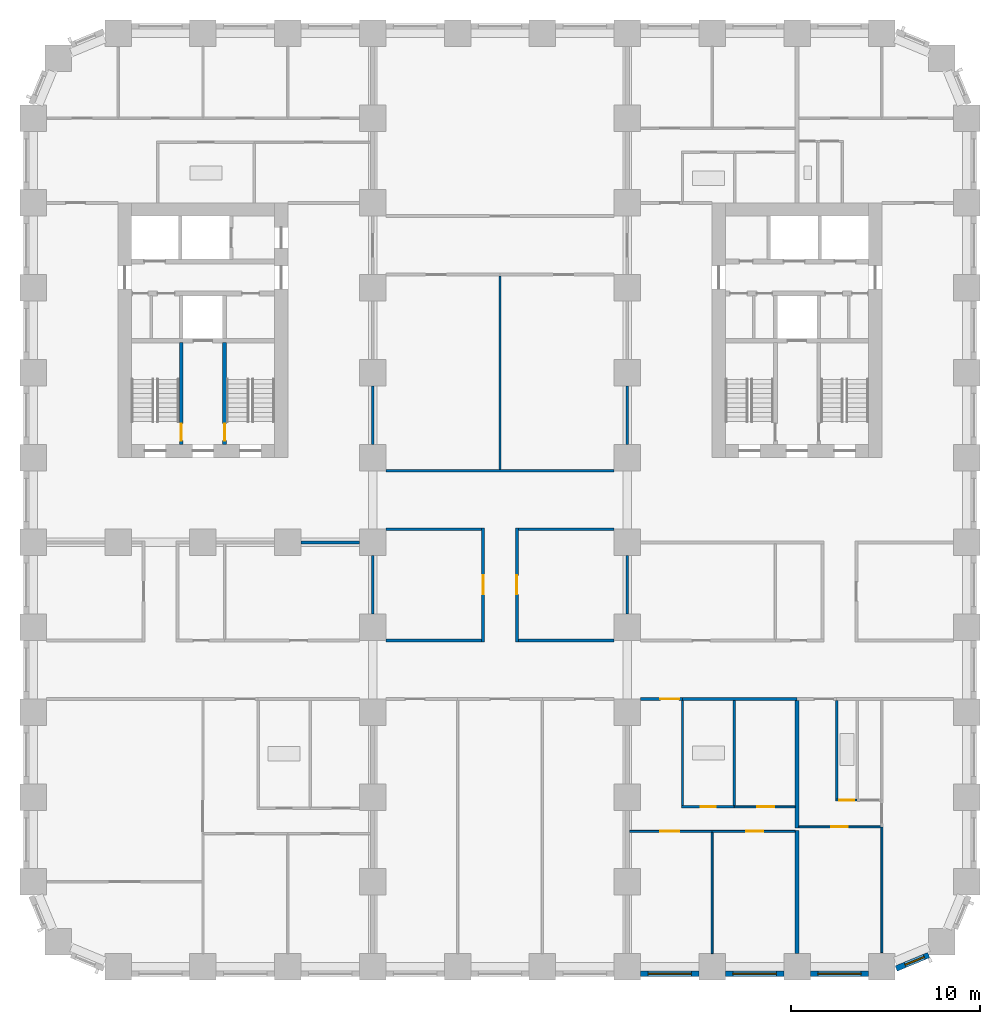
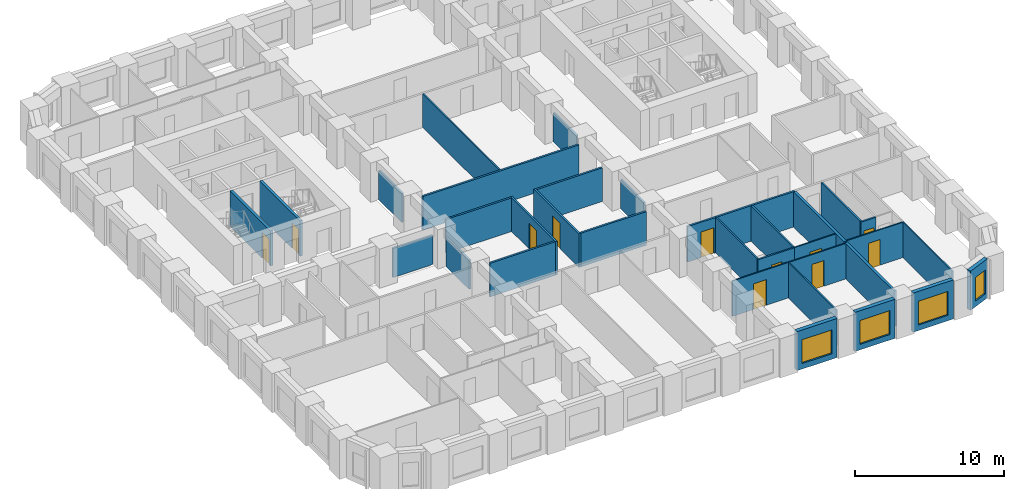
# One storey, part 4 of 12: 34 walls, 11 doors, 4 windows, 15 openings.
"""IFC4 building model written with IfcOpenShell, lengths in metres."""

from ifc_helpers import new_model, si_unit, direction, frame, frame_2d, origin, place, context, subcontext, project, spatial, rectangle, extrude, material, layer, layer_set, type_object, element, fill, save


model = new_model("IFC4")

# Units and contexts
model_context = context("Model", 3, precision=1e-05, world=origin(), true_north=direction((0.0, 1.0)))
body_context = subcontext(model_context, "Body", "Model", "MODEL_VIEW")
ifc_project = project(units=[si_unit("LENGTHUNIT", "METRE"), si_unit("AREAUNIT", "SQUARE_METRE"), si_unit("VOLUMEUNIT", "CUBIC_METRE"), si_unit("PLANEANGLEUNIT", "RADIAN"), si_unit("MASSUNIT", "GRAM", prefix="KILO")], contexts=[model_context])

# Site, building, storey
site_placement = place(None, origin())
site = spatial("IfcSite", under=ifc_project, at=site_placement, CompositionType="ELEMENT")
building_placement = place(site_placement, origin())
building = spatial("IfcBuilding", under=site, at=building_placement, Name="Girih Gate Residences", CompositionType="ELEMENT")
storey_placement = place(building_placement, frame((0.0, 0.0, 30.39990234375)))
storey = spatial("IfcBuildingStorey", under=building, at=storey_placement, Name="L06", CompositionType="ELEMENT", Elevation=30.39990234375)

# Wall
ifc_material_1 = material(Name="Gypsum board on steel studs", Category="steel")
ifc_layer_1 = layer(ifc_material_1, 0.14990234375)
ifc_layer_set_1 = layer_set([ifc_layer_1], Name="Compartment wall 150 mm")
wall_type_1 = type_object("IfcWallType", Name="Compartment wall 150 mm", PredefinedType="PARTITIONING", material=ifc_layer_set_1)
wall_1_placement = place(storey_placement, frame((34.425048828125, 14.199951171875, 0.0), z_axis=(0.0, 0.0, 1.0), x_axis=(1.0, 0.0, 0.0)))
element("IfcWall", 1, at=wall_1_placement, inside=storey, type_object=wall_type_1, Name="L06 partition", PredefinedType="PARTITIONING", context=body_context, shape_type="SweptSolid", body=[
    extrude(rectangle(XDim=6.074951171875, YDim=0.14990234375, at=frame_2d((3.03759765625, 0.0))), origin(), (0.0, 0.0, 1.0), 2.900146484375),
])

# Wall, opening, door
wall_2_placement = place(storey_placement, frame((34.425048828125, 14.199951171875, 0.0), z_axis=(0.0, 0.0, 1.0), x_axis=(-1.0, 0.0, 0.0)))
wall_2 = element("IfcWall", 2, at=wall_2_placement, inside=storey, type_object=wall_type_1, Name="L06 partition", PredefinedType="PARTITIONING", context=body_context, shape_type="SweptSolid", body=[
    extrude(rectangle(XDim=2.22509765625, YDim=0.14990234375, at=frame_2d((1.112548828125, 0.0))), origin(), (0.0, 0.0, 1.0), 2.900146484375),
])
opening_1_placement = place(wall_2_placement, frame((0.175048828125, 0.0, 0.0)))
opening_1 = element("IfcOpeningElement", 3, at=opening_1_placement, cuts=wall_2, Name="Opening A06-024", PredefinedType="OPENING", context=body_context, shape_type="SweptSolid", body=[
    extrude(rectangle(XDim=1.0, YDim=2.10009765625, at=frame_2d((0.5, 1.050048828125))), frame((0.0, 0.0849609375, 0.0), z_axis=(0.0, -1.0, 0.0), x_axis=(1.0, 0.0, 0.0)), (0.0, 0.0, 1.0), 0.169921875),
])
ifc_material_2 = material(Name="Timber, fire-rated core", Category="wood")
door_type_1 = type_object("IfcDoorType", Name="Flat entrance door 1000x2100 FD30S", OperationType="NOTDEFINED", PredefinedType="DOOR", material=ifc_material_2)
door_1_placement = place(opening_1_placement, origin())
door_1 = element("IfcDoor", 4, at=door_1_placement, inside=storey, type_object=door_type_1, Name="Door A06-024", OperationType="SINGLE_SWING_LEFT", OverallHeight=2.10009765625, OverallWidth=1.0, PredefinedType="DOOR", context=body_context, shape_type="SweptSolid", body=[
    extrude(rectangle(XDim=1.0, YDim=2.10009765625, at=frame_2d((0.5, 1.050048828125))), frame((0.0, 0.02490234375, 0.0), z_axis=(0.0, -1.0, 0.0), x_axis=(1.0, 0.0, 0.0)), (0.0, 0.0, 1.0), 0.050048828125),
])
fill(opening_1, door_1)

wall_3_placement = place(storey_placement, frame((23.85009765625, 17.22509765625, 0.0), z_axis=(0.0, 0.0, 1.0), x_axis=(0.0, 1.0, 0.0)))
wall_3 = element("IfcWall", 5, at=wall_3_placement, inside=storey, type_object=wall_type_1, Name="L06 partition", PredefinedType="PARTITIONING", context=body_context, shape_type="SweptSolid", body=[
    extrude(rectangle(XDim=6.0498046875, YDim=0.14990234375, at=frame_2d((3.02490234375, 0.0))), origin(), (0.0, 0.0, 1.0), 2.75),
])
opening_2_placement = place(wall_3_placement, frame((2.52490234375, 0.0, 0.0)))
opening_2 = element("IfcOpeningElement", 6, at=opening_2_placement, cuts=wall_3, Name="Opening A06-043", PredefinedType="OPENING", context=body_context, shape_type="SweptSolid", body=[
    extrude(rectangle(XDim=1.0, YDim=2.10009765625, at=frame_2d((0.5, 1.050048828125))), frame((0.0, 0.0849609375, 0.0), z_axis=(0.0, -1.0, 0.0), x_axis=(1.0, 0.0, 0.0)), (0.0, 0.0, 1.0), 0.169921875),
])
door_type_2 = type_object("IfcDoorType", Name="Amenity room door 1000x2100 FD30S", OperationType="NOTDEFINED", PredefinedType="DOOR", material=ifc_material_2)
door_2_placement = place(opening_2_placement, origin())
door_2 = element("IfcDoor", 7, at=door_2_placement, inside=storey, type_object=door_type_2, Name="Door A06-043", OperationType="SINGLE_SWING_RIGHT", OverallHeight=2.10009765625, OverallWidth=1.0, PredefinedType="DOOR", context=body_context, shape_type="SweptSolid", body=[
    extrude(rectangle(XDim=1.0, YDim=2.10009765625, at=frame_2d((0.5, 1.050048828125))), frame((0.0, 0.02490234375, 0.0), z_axis=(0.0, -1.0, 0.0), x_axis=(1.0, 0.0, 0.0)), (0.0, 0.0, 1.0), 0.050048828125),
])
fill(opening_2, door_2)

wall_4_placement = place(storey_placement, frame((25.64990234375, 23.27490234375, 0.0), z_axis=(0.0, 0.0, 1.0), x_axis=(0.0, -1.0, 0.0)))
wall_4 = element("IfcWall", 8, at=wall_4_placement, inside=storey, type_object=wall_type_1, Name="L06 partition", PredefinedType="PARTITIONING", context=body_context, shape_type="SweptSolid", body=[
    extrude(rectangle(XDim=6.0498046875, YDim=0.14990234375, at=frame_2d((3.02490234375, 0.0))), origin(), (0.0, 0.0, 1.0), 2.75),
])
opening_3_placement = place(wall_4_placement, frame((2.52490234375, 0.0, 0.0)))
opening_3 = element("IfcOpeningElement", 9, at=opening_3_placement, cuts=wall_4, Name="Opening A06-044", PredefinedType="OPENING", context=body_context, shape_type="SweptSolid", body=[
    extrude(rectangle(XDim=1.0, YDim=2.10009765625, at=frame_2d((0.5, 1.050048828125))), frame((0.0, 0.0849609375, 0.0), z_axis=(0.0, -1.0, 0.0), x_axis=(1.0, 0.0, 0.0)), (0.0, 0.0, 1.0), 0.169921875),
])
door_3_placement = place(opening_3_placement, origin())
door_3 = element("IfcDoor", 10, at=door_3_placement, inside=storey, type_object=door_type_2, Name="Door A06-044", OperationType="SINGLE_SWING_RIGHT", OverallHeight=2.10009765625, OverallWidth=1.0, PredefinedType="DOOR", context=body_context, shape_type="SweptSolid", body=[
    extrude(rectangle(XDim=1.0, YDim=2.10009765625, at=frame_2d((0.5, 1.050048828125))), frame((0.0, 0.02490234375, 0.0), z_axis=(0.0, -1.0, 0.0), x_axis=(1.0, 0.0, 0.0)), (0.0, 0.0, 1.0), 0.050048828125),
])
fill(opening_3, door_3)

# Walls
for number, where, z_axis, x_axis, name in (
    (11, (18.699951171875, 17.300048828125, 0.0), (0.0, 0.0, 1.0), (1.0, 0.0, 0.0), "L06 partition"),
    (12, (25.72509765625, 17.300048828125, 0.0), (0.0, 0.0, 1.0), (1.0, 0.0, 0.0), "L06 partition"),
):
    element("IfcWall", number, at=place(storey_placement, frame(where, z_axis=z_axis, x_axis=x_axis)), inside=storey, type_object=wall_type_1, Name=name, PredefinedType="PARTITIONING", context=body_context, shape_type="SweptSolid", body=[
        extrude(rectangle(XDim=5.074951171875, YDim=0.14990234375, at=frame_2d((2.53759765625, 0.0))), origin(), (0.0, 0.0, 1.0), 2.75),
    ])
wall_5_placement = place(storey_placement, frame((18.0, 27.699951171875, 0.0), z_axis=(0.0, 0.0, 1.0), x_axis=(0.0, 1.0, 0.0)))
element("IfcWall", 13, at=wall_5_placement, inside=storey, type_object=wall_type_1, Name="L06 partition", PredefinedType="PARTITIONING", context=body_context, shape_type="SweptSolid", body=[
    extrude(rectangle(XDim=3.10009765625, YDim=0.14990234375, at=frame_2d((1.550048828125, 0.0))), origin(), (0.0, 0.0, 1.0), 2.380126953125),
])
wall_6_placement = place(storey_placement, frame((18.699951171875, 26.300048828125, 0.0), z_axis=(0.0, 0.0, 1.0), x_axis=(1.0, 0.0, 0.0)))
element("IfcWall", 14, at=wall_6_placement, inside=storey, type_object=wall_type_1, Name="L06 partition", PredefinedType="PARTITIONING", context=body_context, shape_type="SweptSolid", body=[
    extrude(rectangle(XDim=12.10009765625, YDim=0.14990234375, at=frame_2d((6.050048828125, 0.0))), origin(), (0.0, 0.0, 1.0), 2.75),
])
wall_7_placement = place(storey_placement, frame((31.5, 27.699951171875, 0.0), z_axis=(0.0, 0.0, 1.0), x_axis=(0.0, 1.0, 0.0)))
element("IfcWall", 15, at=wall_7_placement, inside=storey, type_object=wall_type_1, Name="L06 partition", PredefinedType="PARTITIONING", context=body_context, shape_type="SweptSolid", body=[
    extrude(rectangle(XDim=3.10009765625, YDim=0.14990234375, at=frame_2d((1.550048828125, 0.0))), origin(), (0.0, 0.0, 1.0), 2.380126953125),
])
wall_8_placement = place(storey_placement, frame((18.699951171875, 23.199951171875, 0.0), z_axis=(0.0, 0.0, 1.0), x_axis=(1.0, 0.0, 0.0)))
element("IfcWall", 16, at=wall_8_placement, inside=storey, type_object=wall_type_1, Name="L06 partition", PredefinedType="PARTITIONING", context=body_context, shape_type="SweptSolid", body=[
    extrude(rectangle(XDim=5.074951171875, YDim=0.14990234375, at=frame_2d((2.53759765625, 0.0))), origin(), (0.0, 0.0, 1.0), 2.75),
])
wall_9_placement = place(storey_placement, frame((18.0, 18.699951171875, 0.0), z_axis=(0.0, 0.0, 1.0), x_axis=(0.0, 1.0, 0.0)))
element("IfcWall", 17, at=wall_9_placement, inside=storey, type_object=wall_type_1, Name="L06 partition", PredefinedType="PARTITIONING", context=body_context, shape_type="SweptSolid", body=[
    extrude(rectangle(XDim=3.10009765625, YDim=0.14990234375, at=frame_2d((1.550048828125, 0.0))), origin(), (0.0, 0.0, 1.0), 2.380126953125),
])
wall_10_placement = place(storey_placement, frame((25.72509765625, 23.199951171875, 0.0), z_axis=(0.0, 0.0, 1.0), x_axis=(1.0, 0.0, 0.0)))
element("IfcWall", 18, at=wall_10_placement, inside=storey, type_object=wall_type_1, Name="L06 partition", PredefinedType="PARTITIONING", context=body_context, shape_type="SweptSolid", body=[
    extrude(rectangle(XDim=5.074951171875, YDim=0.14990234375, at=frame_2d((2.53759765625, 0.0))), origin(), (0.0, 0.0, 1.0), 2.75),
])
for number, where, z_axis, x_axis, name in (
    (19, (31.5, 18.699951171875, 0.0), (0.0, 0.0, 1.0), (0.0, 1.0, 0.0), "L06 partition"),
    (20, (14.199951171875, 22.5, 0.0), (0.0, 0.0, 1.0), (1.0, 0.0, 0.0), "L06 partition"),
):
    element("IfcWall", number, at=place(storey_placement, frame(where, z_axis=z_axis, x_axis=x_axis)), inside=storey, type_object=wall_type_1, Name=name, PredefinedType="PARTITIONING", context=body_context, shape_type="SweptSolid", body=[
        extrude(rectangle(XDim=3.10009765625, YDim=0.14990234375, at=frame_2d((1.550048828125, 0.0))), origin(), (0.0, 0.0, 1.0), 2.380126953125),
    ])

# Wall, opening, door
ifc_layer_2 = layer(ifc_material_1, 0.10009765625)
ifc_layer_set_2 = layer_set([ifc_layer_2], Name="Partition 100 mm")
wall_type_2 = type_object("IfcWallType", Name="Partition 100 mm", PredefinedType="PARTITIONING", material=ifc_layer_set_2)
wall_11_placement = place(storey_placement, frame((44.949951171875, 7.419921875, 0.0), z_axis=(0.0, 0.0, 1.0), x_axis=(-1.0, 0.0, 0.0)))
wall_11 = element("IfcWall", 21, at=wall_11_placement, inside=storey, type_object=wall_type_2, Name="L06 partition", PredefinedType="PARTITIONING", context=body_context, shape_type="SweptSolid", body=[
    extrude(rectangle(XDim=4.349853515625, YDim=0.10009765625, at=frame_2d((2.1748046875, 0.0))), origin(), (0.0, 0.0, 1.0), 2.900146484375),
])
opening_4_placement = place(wall_11_placement, frame((1.75, 0.0, 0.0)))
opening_4 = element("IfcOpeningElement", 22, at=opening_4_placement, cuts=wall_11, Name="Opening A06-016", PredefinedType="OPENING", context=body_context, shape_type="SweptSolid", body=[
    extrude(rectangle(XDim=0.89990234375, YDim=2.10009765625, at=frame_2d((0.449951171875, 1.050048828125))), frame((0.0, 0.06005859375, 0.0), z_axis=(0.0, -1.0, 0.0), x_axis=(1.0, 0.0, 0.0)), (0.0, 0.0, 1.0), 0.1201171875),
])
ifc_material_3 = material(Name="Timber", Category="wood")
door_type_3 = type_object("IfcDoorType", Name="Bedroom door 900x2100", OperationType="NOTDEFINED", PredefinedType="DOOR", material=ifc_material_3)
door_4_placement = place(opening_4_placement, origin())
door_4 = element("IfcDoor", 23, at=door_4_placement, inside=storey, type_object=door_type_3, Name="Door A06-016", OperationType="SINGLE_SWING_RIGHT", OverallHeight=2.10009765625, OverallWidth=0.89990234375, PredefinedType="DOOR", context=body_context, shape_type="SweptSolid", body=[
    extrude(rectangle(XDim=0.89990234375, YDim=2.10009765625, at=frame_2d((0.449951171875, 1.050048828125))), frame((0.0, 0.02490234375, 0.0), z_axis=(0.0, -1.0, 0.0), x_axis=(1.0, 0.0, 0.0)), (0.0, 0.0, 1.0), 0.050048828125),
])
fill(opening_4, door_4)

# Wall
wall_12_placement = place(storey_placement, frame((45.0, 0.757568359375, 0.0), z_axis=(0.0, 0.0, 1.0), x_axis=(0.0, 1.0, 0.0)))
element("IfcWall", 24, at=wall_12_placement, inside=storey, type_object=wall_type_2, Name="L06 partition", PredefinedType="PARTITIONING", context=body_context, shape_type="SweptSolid", body=[
    extrude(rectangle(XDim=6.662353515625, YDim=0.10009765625, at=frame_2d((3.3310546875, 0.0))), origin(), (0.0, 0.0, 1.0), 2.900146484375),
])

# Wall, opening, door
wall_13_placement = place(storey_placement, frame((40.39990234375, 7.179931640625, 0.0), z_axis=(0.0, 0.0, 1.0), x_axis=(-1.0, 0.0, 0.0)))
wall_13 = element("IfcWall", 25, at=wall_13_placement, inside=storey, type_object=wall_type_2, Name="L06 partition", PredefinedType="PARTITIONING", context=body_context, shape_type="SweptSolid", body=[
    extrude(rectangle(XDim=4.39990234375, YDim=0.10009765625, at=frame_2d((2.199951171875, 0.0))), origin(), (0.0, 0.0, 1.0), 2.900146484375),
])
opening_5_placement = place(wall_13_placement, frame((1.699951171875, 0.0, 0.0)))
opening_5 = element("IfcOpeningElement", 26, at=opening_5_placement, cuts=wall_13, Name="Opening A06-021", PredefinedType="OPENING", context=body_context, shape_type="SweptSolid", body=[
    extrude(rectangle(XDim=0.89990234375, YDim=2.10009765625, at=frame_2d((0.449951171875, 1.050048828125))), frame((0.0, 0.06005859375, 0.0), z_axis=(0.0, -1.0, 0.0), x_axis=(1.0, 0.0, 0.0)), (0.0, 0.0, 1.0), 0.1201171875),
])
door_5_placement = place(opening_5_placement, origin())
door_5 = element("IfcDoor", 27, at=door_5_placement, inside=storey, type_object=door_type_3, Name="Door A06-021", OperationType="SINGLE_SWING_LEFT", OverallHeight=2.10009765625, OverallWidth=0.89990234375, PredefinedType="DOOR", context=body_context, shape_type="SweptSolid", body=[
    extrude(rectangle(XDim=0.89990234375, YDim=2.10009765625, at=frame_2d((0.449951171875, 1.050048828125))), frame((0.0, 0.02490234375, 0.0), z_axis=(0.0, -1.0, 0.0), x_axis=(1.0, 0.0, 0.0)), (0.0, 0.0, 1.0), 0.050048828125),
])
fill(opening_5, door_5)

# Wall
wall_14_placement = place(storey_placement, frame((36.0, 0.699951171875, 0.0), z_axis=(0.0, 0.0, 1.0), x_axis=(0.0, 1.0, 0.0)))
element("IfcWall", 28, at=wall_14_placement, inside=storey, type_object=wall_type_2, Name="L06 partition", PredefinedType="PARTITIONING", context=body_context, shape_type="SweptSolid", body=[
    extrude(rectangle(XDim=6.429931640625, YDim=0.10009765625, at=frame_2d((3.21484375, 0.0))), origin(), (0.0, 0.0, 1.0), 2.900146484375),
])

# Wall, opening, door
wall_15_placement = place(storey_placement, frame((37.17822265625, 8.47998046875, 0.0), z_axis=(0.0, 0.0, 1.0), x_axis=(1.0, 0.0, 0.0)))
wall_15 = element("IfcWall", 29, at=wall_15_placement, inside=storey, type_object=wall_type_2, Name="L06 partition", PredefinedType="PARTITIONING", context=body_context, shape_type="SweptSolid", body=[
    extrude(rectangle(XDim=3.2216796875, YDim=0.10009765625, at=frame_2d((1.61083984375, 0.0))), origin(), (0.0, 0.0, 1.0), 2.900146484375),
])
opening_6_placement = place(wall_15_placement, frame((1.2109375, 0.0, 0.0)))
opening_6 = element("IfcOpeningElement", 30, at=opening_6_placement, cuts=wall_15, Name="Opening A06-022", PredefinedType="OPENING", context=body_context, shape_type="SweptSolid", body=[
    extrude(rectangle(XDim=0.89990234375, YDim=2.10009765625, at=frame_2d((0.449951171875, 1.050048828125))), frame((0.0, 0.06005859375, 0.0), z_axis=(0.0, -1.0, 0.0), x_axis=(1.0, 0.0, 0.0)), (0.0, 0.0, 1.0), 0.1201171875),
])
door_type_4 = type_object("IfcDoorType", Name="Kitchen door 900x2100", OperationType="NOTDEFINED", PredefinedType="DOOR", material=ifc_material_3)
door_6_placement = place(opening_6_placement, origin())
door_6 = element("IfcDoor", 31, at=door_6_placement, inside=storey, type_object=door_type_4, Name="Door A06-022", OperationType="SINGLE_SWING_RIGHT", OverallHeight=2.10009765625, OverallWidth=0.89990234375, PredefinedType="DOOR", context=body_context, shape_type="SweptSolid", body=[
    extrude(rectangle(XDim=0.89990234375, YDim=2.10009765625, at=frame_2d((0.449951171875, 1.050048828125))), frame((0.0, 0.02490234375, 0.0), z_axis=(0.0, -1.0, 0.0), x_axis=(1.0, 0.0, 0.0)), (0.0, 0.0, 1.0), 0.050048828125),
])
fill(opening_6, door_6)

wall_16_placement = place(storey_placement, frame((36.0, 7.179931640625, 0.0), z_axis=(0.0, 0.0, 1.0), x_axis=(-1.0, 0.0, 0.0)))
wall_16 = element("IfcWall", 32, at=wall_16_placement, inside=storey, type_object=wall_type_2, Name="L06 partition", PredefinedType="PARTITIONING", context=body_context, shape_type="SweptSolid", body=[
    extrude(rectangle(XDim=4.375, YDim=0.10009765625, at=frame_2d((2.1875, 0.0))), origin(), (0.0, 0.0, 1.0), 2.900146484375),
])
opening_7_placement = place(wall_16_placement, frame((1.75, 0.0, 0.0)))
opening_7 = element("IfcOpeningElement", 33, at=opening_7_placement, cuts=wall_16, Name="Opening A06-023", PredefinedType="OPENING", context=body_context, shape_type="SweptSolid", body=[
    extrude(rectangle(XDim=1.0, YDim=2.10009765625, at=frame_2d((0.5, 1.050048828125))), frame((0.0, 0.06005859375, 0.0), z_axis=(0.0, -1.0, 0.0), x_axis=(1.0, 0.0, 0.0)), (0.0, 0.0, 1.0), 0.1201171875),
])
door_type_5 = type_object("IfcDoorType", Name="Living room door 1000x2100", OperationType="NOTDEFINED", PredefinedType="DOOR", material=ifc_material_3)
door_7_placement = place(opening_7_placement, origin())
door_7 = element("IfcDoor", 34, at=door_7_placement, inside=storey, type_object=door_type_5, Name="Door A06-023", OperationType="SINGLE_SWING_RIGHT", OverallHeight=2.10009765625, OverallWidth=1.0, PredefinedType="DOOR", context=body_context, shape_type="SweptSolid", body=[
    extrude(rectangle(XDim=1.0, YDim=2.10009765625, at=frame_2d((0.5, 1.050048828125))), frame((0.0, 0.02490234375, 0.0), z_axis=(0.0, -1.0, 0.0), x_axis=(1.0, 0.0, 0.0)), (0.0, 0.0, 1.0), 0.050048828125),
])
fill(opening_7, door_7)

# Walls
wall_17_placement = place(storey_placement, frame((24.75, 26.375, 0.0), z_axis=(0.0, 0.0, 1.0), x_axis=(0.0, 1.0, 0.0)))
element("IfcWall", 35, at=wall_17_placement, inside=storey, type_object=wall_type_2, Name="L06 partition", PredefinedType="PARTITIONING", context=body_context, shape_type="SweptSolid", body=[
    extrude(rectangle(XDim=10.25, YDim=0.10009765625, at=frame_2d((5.125, 0.0))), origin(), (0.0, 0.0, 1.0), 2.75),
])
ifc_layer_3 = layer(ifc_material_1, 0.199951171875)
ifc_layer_set_3 = layer_set([ifc_layer_3], Name="Party wall 200 mm")
wall_type_3 = type_object("IfcWallType", Name="Party wall 200 mm", PredefinedType="PARTITIONING", material=ifc_layer_set_3)
wall_18_placement = place(storey_placement, frame((40.5, 0.699951171875, 0.0), z_axis=(0.0, 0.0, 1.0), x_axis=(0.0, 1.0, 0.0)))
element("IfcWall", 36, at=wall_18_placement, inside=storey, type_object=wall_type_3, Name="L06 partition", PredefinedType="PARTITIONING", context=body_context, shape_type="SweptSolid", body=[
    extrude(rectangle(XDim=6.530029296875, YDim=0.199951171875, at=frame_2d((3.26513671875, 0.0))), origin(), (0.0, 0.0, 1.0), 2.900146484375),
])
wall_19_placement = place(storey_placement, frame((40.5, 7.3701171875, 0.0), z_axis=(0.0, 0.0, 1.0), x_axis=(0.0, 1.0, 0.0)))
element("IfcWall", 37, at=wall_19_placement, inside=storey, type_object=wall_type_3, Name="L06 partition", PredefinedType="PARTITIONING", context=body_context, shape_type="SweptSolid", body=[
    extrude(rectangle(XDim=6.7548828125, YDim=0.199951171875, at=frame_2d((3.37744140625, 0.0))), origin(), (0.0, 0.0, 1.0), 2.900146484375),
])

# Wall, opening, window
ifc_material_4 = material(Name="Precast concrete C50/60", Category="concrete")
ifc_layer_4 = layer(ifc_material_4, 0.080078125, Name="Outer leaf")
ifc_material_5 = material(Name="Rigid PIR insulation")
ifc_layer_5 = layer(ifc_material_5, 0.14990234375, Name="Insulation")
ifc_material_6 = material(Name="Precast concrete C40/50", Category="concrete")
ifc_layer_6 = layer(ifc_material_6, 0.070068359375, Name="Inner leaf")
ifc_layer_set_4 = layer_set([ifc_layer_4, ifc_layer_5, ifc_layer_6], Name="Precast concrete C50/60 external wall 300")
wall_type_4 = type_object("IfcWallType", Name="Precast concrete C50/60 external wall 300", PredefinedType="SOLIDWALL", material=ifc_layer_set_4)
wall_20_placement = place(storey_placement, frame((35.300048828125, -0.375, 0.0), z_axis=(0.0, 0.0, 1.0), x_axis=(-1.0, 0.0, 0.0)))
wall_20 = element("IfcWall", 38, at=wall_20_placement, inside=storey, type_object=wall_type_4, Name="External wall S0045_0000.6", PredefinedType="SOLIDWALL", context=body_context, shape_type="SweptSolid", body=[
    extrude(rectangle(XDim=3.10009765625, YDim=0.300048828125, at=frame_2d((1.550048828125, 0.0))), origin(), (0.0, 0.0, 1.0), 3.2001953125),
])
opening_8_placement = place(wall_20_placement, frame((0.39990234375, 0.0, 0.449951171875)))
opening_8 = element("IfcOpeningElement", 39, at=opening_8_placement, cuts=wall_20, Name="Opening W-1", PredefinedType="OPENING", context=body_context, shape_type="SweptSolid", body=[
    extrude(rectangle(XDim=2.300048828125, YDim=1.949951171875, at=frame_2d((1.14990234375, 0.97509765625))), frame((0.0, 0.159912109375, 0.0), z_axis=(0.0, -1.0, 0.0), x_axis=(1.0, 0.0, 0.0)), (0.0, 0.0, 1.0), 0.320068359375),
])
ifc_material_7 = material(Name="Double glazing in aluminium frame", Category="aluminium")
window_type_1 = type_object("IfcWindowType", Name="Window W-1 2300x1950", PartitioningType="SINGLE_PANEL", PredefinedType="WINDOW", material=ifc_material_7)
window_1_placement = place(opening_8_placement, origin())
window_1 = element("IfcWindow", 40, at=window_1_placement, inside=storey, type_object=window_type_1, Name="Window W-1 S0045_0000.6", OverallHeight=1.949951171875, OverallWidth=2.300048828125, PartitioningType="SINGLE_PANEL", PredefinedType="WINDOW", context=body_context, shape_type="SweptSolid", body=[
    extrude(rectangle(XDim=2.300048828125, YDim=1.949951171875, at=frame_2d((1.14990234375, 0.97509765625))), frame((0.0, 0.030029296875, 0.0), z_axis=(0.0, -1.0, 0.0), x_axis=(1.0, 0.0, 0.0)), (0.0, 0.0, 1.0), 0.06005859375),
])
fill(opening_8, window_1)

wall_21_placement = place(storey_placement, frame((39.800048828125, -0.375, 0.0), z_axis=(0.0, 0.0, 1.0), x_axis=(-1.0, 0.0, 0.0)))
wall_21 = element("IfcWall", 41, at=wall_21_placement, inside=storey, type_object=wall_type_4, Name="External wall S0045_0000.7", PredefinedType="SOLIDWALL", context=body_context, shape_type="SweptSolid", body=[
    extrude(rectangle(XDim=3.10009765625, YDim=0.300048828125, at=frame_2d((1.550048828125, 0.0))), origin(), (0.0, 0.0, 1.0), 3.2001953125),
])
opening_9_placement = place(wall_21_placement, frame((0.39990234375, 0.0, 0.449951171875)))
opening_9 = element("IfcOpeningElement", 42, at=opening_9_placement, cuts=wall_21, Name="Opening W-1", PredefinedType="OPENING", context=body_context, shape_type="SweptSolid", body=[
    extrude(rectangle(XDim=2.300048828125, YDim=1.949951171875, at=frame_2d((1.14990234375, 0.97509765625))), frame((0.0, 0.159912109375, 0.0), z_axis=(0.0, -1.0, 0.0), x_axis=(1.0, 0.0, 0.0)), (0.0, 0.0, 1.0), 0.320068359375),
])
window_2_placement = place(opening_9_placement, origin())
window_2 = element("IfcWindow", 43, at=window_2_placement, inside=storey, type_object=window_type_1, Name="Window W-1 S0045_0000.7", OverallHeight=1.949951171875, OverallWidth=2.300048828125, PartitioningType="SINGLE_PANEL", PredefinedType="WINDOW", context=body_context, shape_type="SweptSolid", body=[
    extrude(rectangle(XDim=2.300048828125, YDim=1.949951171875, at=frame_2d((1.14990234375, 0.97509765625))), frame((0.0, 0.030029296875, 0.0), z_axis=(0.0, -1.0, 0.0), x_axis=(1.0, 0.0, 0.0)), (0.0, 0.0, 1.0), 0.06005859375),
])
fill(opening_9, window_2)

wall_22_placement = place(storey_placement, frame((44.300048828125, -0.375, 0.0), z_axis=(0.0, 0.0, 1.0), x_axis=(-1.0, 0.0, 0.0)))
wall_22 = element("IfcWall", 44, at=wall_22_placement, inside=storey, type_object=wall_type_4, Name="External wall S0045_0000.8", PredefinedType="SOLIDWALL", context=body_context, shape_type="SweptSolid", body=[
    extrude(rectangle(XDim=3.10009765625, YDim=0.300048828125, at=frame_2d((1.550048828125, 0.0))), origin(), (0.0, 0.0, 1.0), 3.2001953125),
])
opening_10_placement = place(wall_22_placement, frame((0.39990234375, 0.0, 0.449951171875)))
opening_10 = element("IfcOpeningElement", 45, at=opening_10_placement, cuts=wall_22, Name="Opening W-1", PredefinedType="OPENING", context=body_context, shape_type="SweptSolid", body=[
    extrude(rectangle(XDim=2.300048828125, YDim=1.949951171875, at=frame_2d((1.14990234375, 0.97509765625))), frame((0.0, 0.159912109375, 0.0), z_axis=(0.0, -1.0, 0.0), x_axis=(1.0, 0.0, 0.0)), (0.0, 0.0, 1.0), 0.320068359375),
])
window_3_placement = place(opening_10_placement, origin())
window_3 = element("IfcWindow", 46, at=window_3_placement, inside=storey, type_object=window_type_1, Name="Window W-1 S0045_0000.8", OverallHeight=1.949951171875, OverallWidth=2.300048828125, PartitioningType="SINGLE_PANEL", PredefinedType="WINDOW", context=body_context, shape_type="SweptSolid", body=[
    extrude(rectangle(XDim=2.300048828125, YDim=1.949951171875, at=frame_2d((1.14990234375, 0.97509765625))), frame((0.0, 0.030029296875, 0.0), z_axis=(0.0, -1.0, 0.0), x_axis=(1.0, 0.0, 0.0)), (0.0, 0.0, 1.0), 0.06005859375),
])
fill(opening_10, window_3)

wall_23_placement = place(storey_placement, frame((47.48046875, 0.62158203125, 0.0), z_axis=(0.0, 0.0, 1.0), x_axis=(-0.923903565336, -0.38262540684, 0.0)))
wall_23 = element("IfcWall", 47, at=wall_23_placement, inside=storey, type_object=wall_type_4, Name="External wall SE0450_0000.0", PredefinedType="SOLIDWALL", context=body_context, shape_type="SweptSolid", body=[
    extrude(rectangle(XDim=1.864990234375, YDim=0.300048828125, at=frame_2d((0.9326171875, 0.0))), origin(), (0.0, 0.0, 1.0), 3.2001953125),
])
opening_11_placement = place(wall_23_placement, frame((0.257568359375, 0.0, 0.449951171875)))
opening_11 = element("IfcOpeningElement", 48, at=opening_11_placement, cuts=wall_23, Name="Opening W-2C", PredefinedType="OPENING", context=body_context, shape_type="SweptSolid", body=[
    extrude(rectangle(XDim=1.10009765625, YDim=1.949951171875, at=frame_2d((0.550048828125, 0.97509765625))), frame((0.0, 0.159912109375, 0.0), z_axis=(0.0, -1.0, 0.0), x_axis=(1.0, 0.0, 0.0)), (0.0, 0.0, 1.0), 0.320068359375),
])
window_type_2 = type_object("IfcWindowType", Name="Window W-2C 1100x1950", PartitioningType="SINGLE_PANEL", PredefinedType="WINDOW", material=ifc_material_7)
window_4_placement = place(opening_11_placement, origin())
window_4 = element("IfcWindow", 49, at=window_4_placement, inside=storey, type_object=window_type_2, Name="Window W-2C SE0450_0000.0", OverallHeight=1.949951171875, OverallWidth=1.10009765625, PartitioningType="SINGLE_PANEL", PredefinedType="WINDOW", context=body_context, shape_type="SweptSolid", body=[
    extrude(rectangle(XDim=1.10009765625, YDim=1.949951171875, at=frame_2d((0.550048828125, 0.97509765625))), frame((0.0, 0.030029296875, 0.0), z_axis=(0.0, -1.0, 0.0), x_axis=(1.0, 0.0, 0.0)), (0.0, 0.0, 1.0), 0.06005859375),
])
fill(opening_11, window_4)

# Wall, opening, door
ifc_material_8 = material(Name="Concrete C40/50", Category="concrete")
ifc_layer_7 = layer(ifc_material_8, 0.199951171875)
ifc_layer_set_5 = layer_set([ifc_layer_7], Name="Shaft wall 200")
wall_type_5 = type_object("IfcWallType", Name="Shaft wall 200", PredefinedType="SOLIDWALL", material=ifc_layer_set_5)
wall_24_placement = place(storey_placement, frame((7.85009765625, 27.699951171875, 0.0), z_axis=(0.0, 0.0, 1.0), x_axis=(0.0, 1.0, 0.0)))
wall_24 = element("IfcWall", 50, at=wall_24_placement, inside=storey, type_object=wall_type_5, Name="L06 W core wall V1a", PredefinedType="SOLIDWALL", context=body_context, shape_type="SweptSolid", body=[
    extrude(rectangle(XDim=5.400146484375, YDim=0.199951171875, at=frame_2d((2.7001953125, 0.0))), origin(), (0.0, 0.0, 1.0), 2.900146484375),
])
opening_12_placement = place(wall_24_placement, frame((0.199951171875, 0.0, 0.0)))
opening_12 = element("IfcOpeningElement", 51, at=opening_12_placement, cuts=wall_24, Name="Opening D-L06-W-001", PredefinedType="OPENING", context=body_context, shape_type="SweptSolid", body=[
    extrude(rectangle(XDim=0.89990234375, YDim=2.10009765625, at=frame_2d((0.449951171875, 1.050048828125))), frame((0.0, 0.10986328125, 0.0), z_axis=(0.0, -1.0, 0.0), x_axis=(1.0, 0.0, 0.0)), (0.0, 0.0, 1.0), 0.219970703125),
])
ifc_material_9 = material(Name="Painted steel, fire-resisting", Category="steel")
door_type_6 = type_object("IfcDoorType", Name="Fire door 900x2100", OperationType="SINGLE_SWING_LEFT", PredefinedType="DOOR", material=ifc_material_9)
door_8_placement = place(opening_12_placement, origin())
door_8 = element("IfcDoor", 52, at=door_8_placement, inside=storey, type_object=door_type_6, Name="L06 W door stair 1 to firefighting lobby", OperationType="SINGLE_SWING_LEFT", OverallHeight=2.10009765625, OverallWidth=0.89990234375, PredefinedType="DOOR", context=body_context, shape_type="SweptSolid", body=[
    extrude(rectangle(XDim=0.89990234375, YDim=2.10009765625, at=frame_2d((0.449951171875, 1.050048828125))), frame((0.0, 0.02490234375, 0.0), z_axis=(0.0, -1.0, 0.0), x_axis=(1.0, 0.0, 0.0)), (0.0, 0.0, 1.0), 0.050048828125),
])
fill(opening_12, door_8)

wall_25_placement = place(storey_placement, frame((10.14990234375, 27.699951171875, 0.0), z_axis=(0.0, 0.0, 1.0), x_axis=(0.0, 1.0, 0.0)))
wall_25 = element("IfcWall", 53, at=wall_25_placement, inside=storey, type_object=wall_type_5, Name="L06 W core wall V2a", PredefinedType="SOLIDWALL", context=body_context, shape_type="SweptSolid", body=[
    extrude(rectangle(XDim=5.400146484375, YDim=0.199951171875, at=frame_2d((2.7001953125, 0.0))), origin(), (0.0, 0.0, 1.0), 2.900146484375),
])
opening_13_placement = place(wall_25_placement, frame((0.199951171875, 0.0, 0.0)))
opening_13 = element("IfcOpeningElement", 54, at=opening_13_placement, cuts=wall_25, Name="Opening D-L06-W-002", PredefinedType="OPENING", context=body_context, shape_type="SweptSolid", body=[
    extrude(rectangle(XDim=0.89990234375, YDim=2.10009765625, at=frame_2d((0.449951171875, 1.050048828125))), frame((0.0, 0.10986328125, 0.0), z_axis=(0.0, -1.0, 0.0), x_axis=(1.0, 0.0, 0.0)), (0.0, 0.0, 1.0), 0.219970703125),
])
door_9_placement = place(opening_13_placement, origin())
door_9 = element("IfcDoor", 55, at=door_9_placement, inside=storey, type_object=door_type_6, Name="L06 W door stair 2 to firefighting lobby", OperationType="SINGLE_SWING_LEFT", OverallHeight=2.10009765625, OverallWidth=0.89990234375, PredefinedType="DOOR", context=body_context, shape_type="SweptSolid", body=[
    extrude(rectangle(XDim=0.89990234375, YDim=2.10009765625, at=frame_2d((0.449951171875, 1.050048828125))), frame((0.0, 0.02490234375, 0.0), z_axis=(0.0, -1.0, 0.0), x_axis=(1.0, 0.0, 0.0)), (0.0, 0.0, 1.0), 0.050048828125),
])
fill(opening_13, door_9)

ifc_layer_8 = layer(ifc_material_1, 0.125)
ifc_layer_set_6 = layer_set([ifc_layer_8], Name="Wet room wall 125 mm")
wall_type_6 = type_object("IfcWallType", Name="Wet room wall 125 mm", PredefinedType="PARTITIONING", material=ifc_layer_set_6)
wall_26_placement = place(storey_placement, frame((42.53759765625, 8.840087890625, 0.0), z_axis=(0.0, 0.0, 1.0), x_axis=(1.0, 0.0, 0.0)))
wall_26 = element("IfcWall", 56, at=wall_26_placement, inside=storey, type_object=wall_type_6, Name="L06 partition", PredefinedType="PARTITIONING", context=body_context, shape_type="SweptSolid", body=[
    extrude(rectangle(XDim=1.1533203125, YDim=0.125, at=frame_2d((0.57666015625, 0.0))), origin(), (0.0, 0.0, 1.0), 2.900146484375),
])
opening_14_placement = place(wall_26_placement, frame((0.2080078125, 0.0, 0.0)))
opening_14 = element("IfcOpeningElement", 57, at=opening_14_placement, cuts=wall_26, Name="Opening A06-015", PredefinedType="OPENING", context=body_context, shape_type="SweptSolid", body=[
    extrude(rectangle(XDim=0.800048828125, YDim=2.10009765625, at=frame_2d((0.39990234375, 1.050048828125))), frame((0.0, 0.072509765625, 0.0), z_axis=(0.0, -1.0, 0.0), x_axis=(1.0, 0.0, 0.0)), (0.0, 0.0, 1.0), 0.14501953125),
])
door_type_7 = type_object("IfcDoorType", Name="Bathroom door 800x2100", OperationType="NOTDEFINED", PredefinedType="DOOR", material=ifc_material_3)
door_10_placement = place(opening_14_placement, origin())
door_10 = element("IfcDoor", 58, at=door_10_placement, inside=storey, type_object=door_type_7, Name="Door A06-015", OperationType="SINGLE_SWING_RIGHT", OverallHeight=2.10009765625, OverallWidth=0.800048828125, PredefinedType="DOOR", context=body_context, shape_type="SweptSolid", body=[
    extrude(rectangle(XDim=0.800048828125, YDim=2.10009765625, at=frame_2d((0.39990234375, 1.050048828125))), frame((0.0, 0.02490234375, 0.0), z_axis=(0.0, -1.0, 0.0), x_axis=(1.0, 0.0, 0.0)), (0.0, 0.0, 1.0), 0.050048828125),
])
fill(opening_14, door_10)

# Wall
wall_27_placement = place(storey_placement, frame((42.60009765625, 8.902587890625, 0.0), z_axis=(0.0, 0.0, 1.0), x_axis=(0.0, 1.0, 0.0)))
element("IfcWall", 59, at=wall_27_placement, inside=storey, type_object=wall_type_6, Name="L06 partition", PredefinedType="PARTITIONING", context=body_context, shape_type="SweptSolid", body=[
    extrude(rectangle(XDim=5.222412109375, YDim=0.125, at=frame_2d((2.611328125, 0.0))), origin(), (0.0, 0.0, 1.0), 2.900146484375),
])

# Wall, opening, door
wall_28_placement = place(storey_placement, frame((34.362548828125, 8.47998046875, 0.0), z_axis=(0.0, 0.0, 1.0), x_axis=(1.0, 0.0, 0.0)))
wall_28 = element("IfcWall", 60, at=wall_28_placement, inside=storey, type_object=wall_type_6, Name="L06 partition", PredefinedType="PARTITIONING", context=body_context, shape_type="SweptSolid", body=[
    extrude(rectangle(XDim=2.815673828125, YDim=0.125, at=frame_2d((1.40771484375, 0.0))), origin(), (0.0, 0.0, 1.0), 2.900146484375),
])
opening_15_placement = place(wall_28_placement, frame((1.0390625, 0.0, 0.0)))
opening_15 = element("IfcOpeningElement", 61, at=opening_15_placement, cuts=wall_28, Name="Opening A06-020", PredefinedType="OPENING", context=body_context, shape_type="SweptSolid", body=[
    extrude(rectangle(XDim=0.800048828125, YDim=2.10009765625, at=frame_2d((0.39990234375, 1.050048828125))), frame((0.0, 0.072509765625, 0.0), z_axis=(0.0, -1.0, 0.0), x_axis=(1.0, 0.0, 0.0)), (0.0, 0.0, 1.0), 0.14501953125),
])
door_11_placement = place(opening_15_placement, origin())
door_11 = element("IfcDoor", 62, at=door_11_placement, inside=storey, type_object=door_type_7, Name="Door A06-020", OperationType="SINGLE_SWING_RIGHT", OverallHeight=2.10009765625, OverallWidth=0.800048828125, PredefinedType="DOOR", context=body_context, shape_type="SweptSolid", body=[
    extrude(rectangle(XDim=0.800048828125, YDim=2.10009765625, at=frame_2d((0.39990234375, 1.050048828125))), frame((0.0, 0.02490234375, 0.0), z_axis=(0.0, -1.0, 0.0), x_axis=(1.0, 0.0, 0.0)), (0.0, 0.0, 1.0), 0.050048828125),
])
fill(opening_15, door_11)

# Walls
for number, where, z_axis, x_axis, name in (
    (63, (34.425048828125, 8.54248046875, 0.0), (0.0, 0.0, 1.0), (0.0, 1.0, 0.0), "L06 partition"),
    (64, (37.177978515625, 8.54248046875, 0.0), (0.0, 0.0, 1.0), (0.0, 1.0, 0.0), "L06 partition"),
):
    element("IfcWall", number, at=place(storey_placement, frame(where, z_axis=z_axis, x_axis=x_axis)), inside=storey, type_object=wall_type_6, Name=name, PredefinedType="PARTITIONING", context=body_context, shape_type="SweptSolid", body=[
        extrude(rectangle(XDim=5.58251953125, YDim=0.125, at=frame_2d((2.791259765625, 0.0))), origin(), (0.0, 0.0, 1.0), 2.900146484375),
    ])

save(model, "model.ifc")
